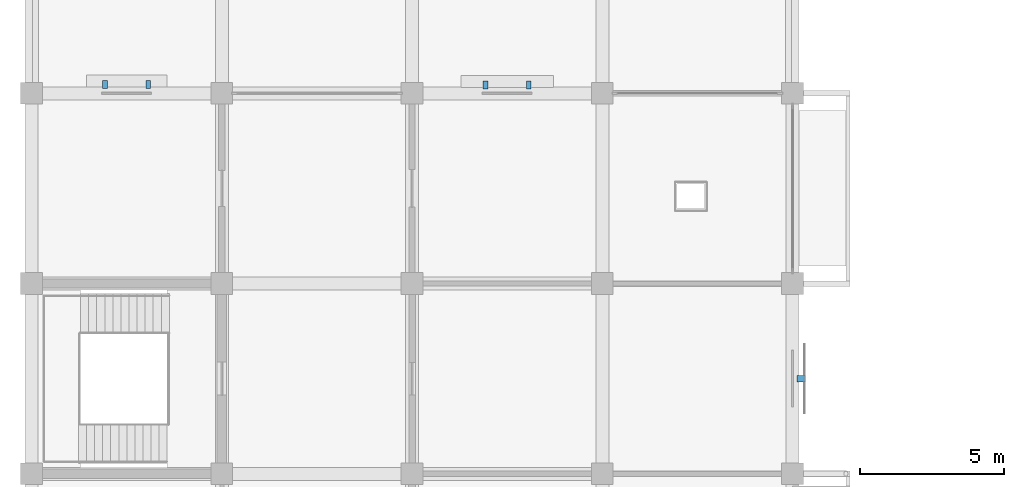
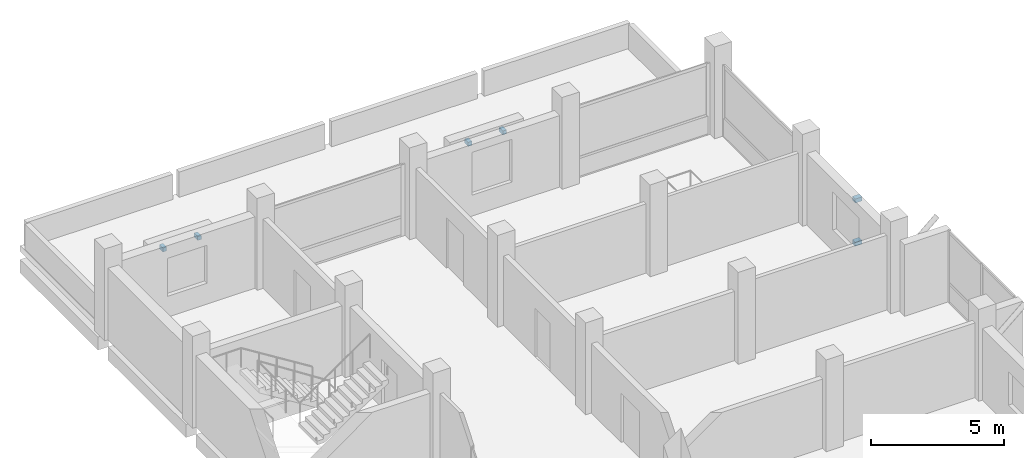
# One storey, part 13 of 15: 6 discrete accessories.
"""IFC4 building model written with IfcOpenShell, lengths in metres."""

from ifc_helpers import new_model, si_unit, direction, frame, origin, origin_2d, place, context, subcontext, project, spatial, rectangle, extrude, material, type_object, element, save


model = new_model("IFC4")

# Units and contexts
model_context = context("Model", 3, precision=1e-05, world=origin(), true_north=direction((0.0, 1.0)))
body_context = subcontext(model_context, "Body", "Model", "MODEL_VIEW")
ifc_project = project(units=[si_unit("LENGTHUNIT", "METRE"), si_unit("AREAUNIT", "SQUARE_METRE"), si_unit("VOLUMEUNIT", "CUBIC_METRE"), si_unit("PLANEANGLEUNIT", "RADIAN"), si_unit("MASSUNIT", "GRAM", prefix="KILO")], contexts=[model_context])

# Site, building, storey
site_placement = place(None, origin())
site = spatial("IfcSite", under=ifc_project, at=site_placement, CompositionType="ELEMENT")
building_placement = place(site_placement, origin())
building = spatial("IfcBuilding", under=site, at=building_placement, Name="Rusizi Kubbe Research Institute", CompositionType="ELEMENT")
storey_placement = place(building_placement, frame((0.0, 0.0, 27.0)))
storey = spatial("IfcBuildingStorey", under=building, at=storey_placement, Name="L06", CompositionType="ELEMENT", Elevation=27.0)

# Discrete accessories
ifc_material_1 = material(Name="Steel S355", Category="steel")
discrete_accessory_type_1 = type_object("IfcDiscreteAccessoryType", Name="BK-01", PredefinedType="BRACKET", material=ifc_material_1)
for number, where, z_axis, x_axis, name in (
    (1, (26.702392578125, 69.300048828125, 0.740234375), (0.0, 0.0, 1.0), (1.0, 0.0, 0.0), "Solar Screen Bracket 54-1"),
    (2, (26.702392578125, 69.300048828125, 2.72021484375), (0.0, 0.0, 1.0), (1.0, 0.0, 0.0), "Solar Screen Bracket 54-2"),
):
    element("IfcDiscreteAccessory", number, at=place(storey_placement, frame(where, z_axis=z_axis, x_axis=x_axis)), inside=storey, type_object=discrete_accessory_type_1, Name=name, PredefinedType="BRACKET", context=body_context, shape_type="SweptSolid", body=[
        extrude(rectangle(XDim=0.300048828125, YDim=0.219970703125, at=origin_2d()), origin(), (0.0, 0.0, 1.0), 0.179931640625),
    ])
ifc_material_2 = material(Name="Steel S355", Category="steel")
discrete_accessory_type_2 = type_object("IfcDiscreteAccessoryType", Name="BK-02", PredefinedType="BRACKET", material=ifc_material_2)
for number, where, z_axis, x_axis, name in (
    (3, (2.550048828125, 79.510009765625, 2.740234375), (0.0, 0.0, 1.0), (1.0, 0.0, 0.0), "Louver Canopy Bracket 37-1"),
    (4, (4.050048828125, 79.510009765625, 2.740234375), (0.0, 0.0, 1.0), (1.0, 0.0, 0.0), "Louver Canopy Bracket 37-2"),
    (5, (15.75, 79.492431640625, 2.9599609375), (0.0, 0.0, 1.0), (1.0, 0.0, 0.0), "Louver Canopy Bracket 38-1"),
    (6, (17.25, 79.492431640625, 2.9599609375), (0.0, 0.0, 1.0), (1.0, 0.0, 0.0), "Louver Canopy Bracket 38-2"),
):
    element("IfcDiscreteAccessory", number, at=place(storey_placement, frame(where, z_axis=z_axis, x_axis=x_axis)), inside=storey, type_object=discrete_accessory_type_2, Name=name, PredefinedType="BRACKET", context=body_context, shape_type="SweptSolid", body=[
        extrude(rectangle(XDim=0.159912109375, YDim=0.280029296875, at=origin_2d()), origin(), (0.0, 0.0, 1.0), 0.179931640625),
    ])

save(model, "model.ifc")
